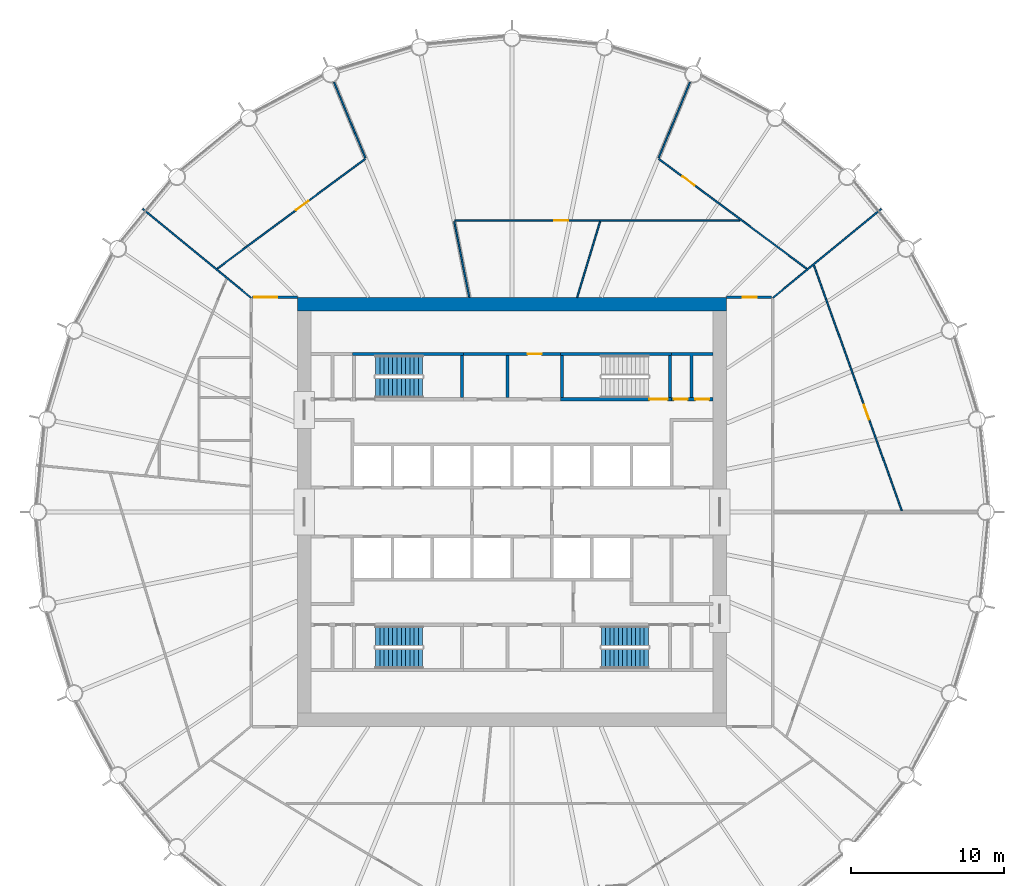
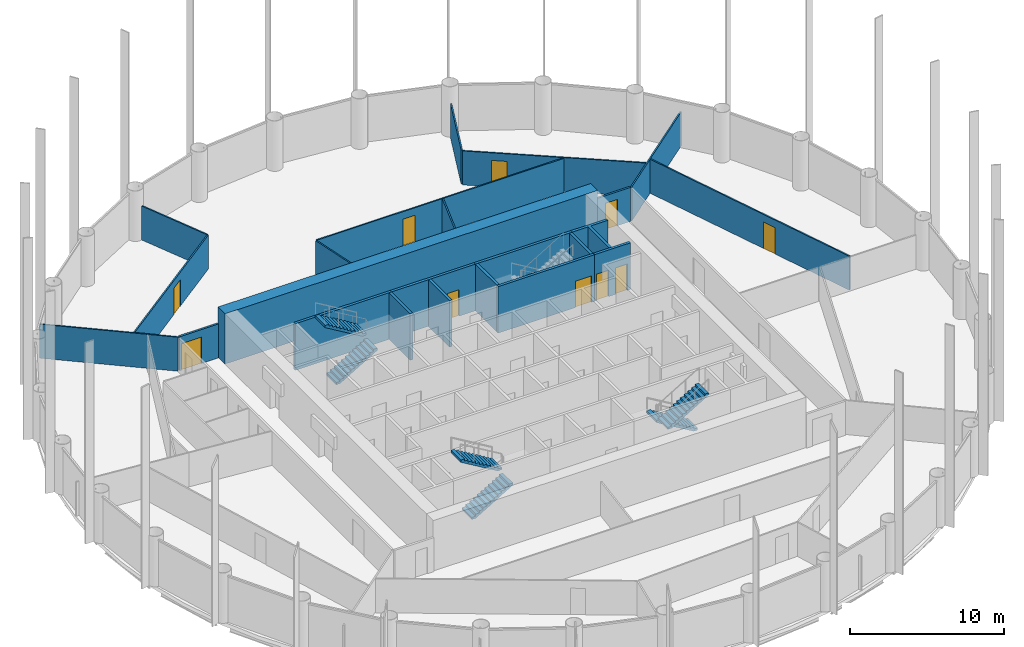
# One storey, part 7 of 9: 23 walls, 10 doors, 6 stair flights, 10 openings, 3 elements without a shape of their own.
"""IFC4 building model written with IfcOpenShell, lengths in metres."""

from ifc_helpers import new_model, si_unit, direction, frame, frame_2d, origin, place, context, subcontext, project, spatial, polyline, rectangle, outline, extrude, material, layer, layer_set, type_object, element, fill, aggregate, save


model = new_model("IFC4")

# Units and contexts
model_context = context("Model", 3, precision=1e-05, world=origin(), true_north=direction((0.0, 1.0)))
body_context = subcontext(model_context, "Body", "Model", "MODEL_VIEW")
ifc_project = project(units=[si_unit("LENGTHUNIT", "METRE"), si_unit("AREAUNIT", "SQUARE_METRE"), si_unit("VOLUMEUNIT", "CUBIC_METRE"), si_unit("PLANEANGLEUNIT", "RADIAN"), si_unit("MASSUNIT", "GRAM", prefix="KILO")], contexts=[model_context])

# Site, building, storey
site_placement = place(None, origin())
site = spatial("IfcSite", under=ifc_project, at=site_placement, CompositionType="ELEMENT")
building_placement = place(site_placement, origin())
building = spatial("IfcBuilding", under=site, at=building_placement, Name="Corvane Civic Tower", CompositionType="ELEMENT")
storey_placement = place(building_placement, frame((0.0, 0.0, 160.0)))
storey = spatial("IfcBuildingStorey", under=building, at=storey_placement, Name="L37", CompositionType="ELEMENT", Elevation=160.0)

# Wall
ifc_material_1 = material(Name="Concrete C60/75", Category="concrete")
ifc_layer_1 = layer(ifc_material_1, 0.89990234375)
ifc_layer_set_1 = layer_set([ifc_layer_1], Name="Concrete C60/75")
wall_type_1 = type_object("IfcWallType", Name="CORE WALL 900 C60/75", PredefinedType="SHEAR", material=ifc_layer_set_1)
wall_1_placement = place(storey_placement, frame((-14.0, 13.550048828125, 0.0), z_axis=(0.0, 0.0, 1.0), x_axis=(1.0, 0.0, 0.0)))
element("IfcWall", 1, at=wall_1_placement, inside=storey, type_object=wall_type_1, Name="W-L37-core-N", PredefinedType="SHEAR", context=body_context, shape_type="SweptSolid", body=[
    extrude(rectangle(XDim=28.0, YDim=0.89990234375, at=frame_2d((14.0, 0.0))), origin(), (0.0, 0.0, 1.0), 4.0),
])

# Wall, openings, doors
ifc_material_2 = material(Name="Concrete C30/37", Category="concrete")
ifc_layer_2 = layer(ifc_material_2, 0.199951171875)
ifc_layer_set_2 = layer_set([ifc_layer_2], Name="Concrete C30/37")
wall_type_2 = type_object("IfcWallType", Name="CR-WALL-200", PredefinedType="PARTITIONING", material=ifc_layer_set_2)
wall_2_placement = place(storey_placement, frame((10.39990234375, 7.35009765625, 0.0), z_axis=(0.0, 0.0, 1.0), x_axis=(1.0, 0.0, 0.0)))
wall_2 = element("IfcWall", 2, at=wall_2_placement, inside=storey, type_object=wall_type_2, Name="L37 core partition wall", PredefinedType="PARTITIONING", context=body_context, shape_type="SweptSolid", body=[
    extrude(rectangle(XDim=2.7001953125, YDim=0.199951171875, at=frame_2d((1.35009765625, 0.0))), origin(), (0.0, 0.0, 1.0), 3.699951171875),
])
opening_1_placement = place(wall_2_placement, frame((0.14990234375, 0.0, 0.0)))
opening_1 = element("IfcOpeningElement", 3, at=opening_1_placement, cuts=wall_2, Name="Opening L37.C17", PredefinedType="OPENING", context=body_context, shape_type="SweptSolid", body=[
    extrude(rectangle(XDim=0.89990234375, YDim=2.10009765625, at=frame_2d((0.449951171875, 1.050048828125))), frame((0.0, 0.10986328125, 0.0), z_axis=(0.0, -1.0, 0.0), x_axis=(1.0, 0.0, 0.0)), (0.0, 0.0, 1.0), 0.219970703125),
])
opening_2_placement = place(wall_2_placement, frame((1.550048828125, 0.0, 0.0)))
opening_2 = element("IfcOpeningElement", 4, at=opening_2_placement, cuts=wall_2, Name="Opening L37.C18", PredefinedType="OPENING", context=body_context, shape_type="SweptSolid", body=[
    extrude(rectangle(XDim=0.89990234375, YDim=2.10009765625, at=frame_2d((0.449951171875, 1.050048828125))), frame((0.0, 0.10986328125, 0.0), z_axis=(0.0, -1.0, 0.0), x_axis=(1.0, 0.0, 0.0)), (0.0, 0.0, 1.0), 0.219970703125),
])
ifc_material_3 = material(Name="Steel fire door leaf", Category="steel")
door_type_1 = type_object("IfcDoorType", Name="CR-DOOR-900", OperationType="SINGLE_SWING_LEFT", PredefinedType="DOOR", material=ifc_material_3)
door_1_placement = place(opening_1_placement, origin())
door_1 = element("IfcDoor", 5, at=door_1_placement, inside=storey, type_object=door_type_1, Name="L37 door", OperationType="SINGLE_SWING_LEFT", OverallHeight=2.10009765625, OverallWidth=0.89990234375, PredefinedType="DOOR", context=body_context, shape_type="SweptSolid", body=[
    extrude(rectangle(XDim=0.89990234375, YDim=2.10009765625, at=frame_2d((0.449951171875, 1.050048828125))), frame((0.0, 0.02490234375, 0.0), z_axis=(0.0, -1.0, 0.0), x_axis=(1.0, 0.0, 0.0)), (0.0, 0.0, 1.0), 0.050048828125),
])
fill(opening_1, door_1)
door_2_placement = place(opening_2_placement, origin())
door_2 = element("IfcDoor", 6, at=door_2_placement, inside=storey, type_object=door_type_1, Name="L37 door", OperationType="SINGLE_SWING_LEFT", OverallHeight=2.10009765625, OverallWidth=0.89990234375, PredefinedType="DOOR", context=body_context, shape_type="SweptSolid", body=[
    extrude(rectangle(XDim=0.89990234375, YDim=2.10009765625, at=frame_2d((0.449951171875, 1.050048828125))), frame((0.0, 0.02490234375, 0.0), z_axis=(0.0, -1.0, 0.0), x_axis=(1.0, 0.0, 0.0)), (0.0, 0.0, 1.0), 0.050048828125),
])
fill(opening_2, door_2)

# Wall, opening, door
wall_3_placement = place(storey_placement, frame((-3.14990234375, 10.300048828125, 0.0), z_axis=(0.0, 0.0, 1.0), x_axis=(1.0, 0.0, 0.0)))
wall_3 = element("IfcWall", 7, at=wall_3_placement, inside=storey, type_object=wall_type_2, Name="L37 partition wall", PredefinedType="PARTITIONING", context=body_context, shape_type="SweptSolid", body=[
    extrude(rectangle(XDim=6.2998046875, YDim=0.199951171875, at=frame_2d((3.14990234375, 0.0))), origin(), (0.0, 0.0, 1.0), 3.699951171875),
])
opening_3_placement = place(wall_3_placement, frame((4.175048828125, 0.0, 0.0)))
opening_3 = element("IfcOpeningElement", 8, at=opening_3_placement, cuts=wall_3, Name="Opening L37.C11", PredefinedType="OPENING", context=body_context, shape_type="SweptSolid", body=[
    extrude(rectangle(XDim=0.89990234375, YDim=2.10009765625, at=frame_2d((0.449951171875, 1.050048828125))), frame((0.0, 0.10986328125, 0.0), z_axis=(0.0, -1.0, 0.0), x_axis=(1.0, 0.0, 0.0)), (0.0, 0.0, 1.0), 0.219970703125),
])
door_3_placement = place(opening_3_placement, origin())
door_3 = element("IfcDoor", 9, at=door_3_placement, inside=storey, type_object=door_type_1, Name="L37 door", OperationType="SINGLE_SWING_LEFT", OverallHeight=2.10009765625, OverallWidth=0.89990234375, PredefinedType="DOOR", context=body_context, shape_type="SweptSolid", body=[
    extrude(rectangle(XDim=0.89990234375, YDim=2.10009765625, at=frame_2d((0.449951171875, 1.050048828125))), frame((0.0, 0.02490234375, 0.0), z_axis=(0.0, -1.0, 0.0), x_axis=(1.0, 0.0, 0.0)), (0.0, 0.0, 1.0), 0.050048828125),
])
fill(opening_3, door_3)

# Walls
wall_4_placement = place(storey_placement, origin())
element("IfcWall", 10, at=wall_4_placement, inside=storey, type_object=wall_type_2, Name="L37 core partition wall", PredefinedType="PARTITIONING", context=body_context, shape_type="SweptSolid", body=[
    extrude(outline(polyline([(-0.199951171875, 7.449951171875), (-0.39990234375, 7.449951171875), (-0.39990234375, 10.199951171875), (-0.199951171875, 10.199951171875), (-0.199951171875, 7.449951171875)])), origin(), (0.0, 0.0, 1.0), 3.699951171875),
])
wall_5_placement = place(storey_placement, origin())
element("IfcWall", 11, at=wall_5_placement, inside=storey, type_object=wall_type_2, Name="L37 core partition wall", PredefinedType="PARTITIONING", context=body_context, shape_type="SweptSolid", body=[
    extrude(outline(polyline([(13.10009765625, 10.39990234375), (13.10009765625, 10.199951171875), (11.800048828125, 10.199951171875), (11.800048828125, 7.449951171875), (11.60009765625, 7.449951171875), (11.60009765625, 10.199951171875), (10.39990234375, 10.199951171875), (10.39990234375, 10.39990234375), (13.10009765625, 10.39990234375)])), origin(), (0.0, 0.0, 1.0), 3.699951171875),
])

# Wall, opening, door
ifc_material_4 = material(Name="Plasterboard")
ifc_layer_3 = layer(ifc_material_4, 0.10009765625)
ifc_layer_set_3 = layer_set([ifc_layer_3], Name="Plasterboard")
wall_type_3 = type_object("IfcWallType", Name="Partition 100 plasterboard on studs", PredefinedType="PARTITIONING", material=ifc_layer_set_3)
wall_6_placement = place(storey_placement, frame((19.69189453125, 16.07421875, 0.0), z_axis=(0.0, 0.0, 1.0), x_axis=(0.33689125471, -0.941543563782, 0.0)))
wall_6 = element("IfcWall", 12, at=wall_6_placement, inside=storey, type_object=wall_type_3, Name="Partition L37.018", PredefinedType="PARTITIONING", context=body_context, shape_type="SweptSolid", body=[
    extrude(rectangle(XDim=17.001220703125, YDim=0.10009765625, at=frame_2d((8.50048828125, 0.0))), origin(), (0.0, 0.0, 1.0), 2.699951171875),
])
opening_4_placement = place(wall_6_placement, frame((9.663818359375, 0.0, 0.0)))
opening_4 = element("IfcOpeningElement", 13, at=opening_4_placement, cuts=wall_6, Name="Opening L37.012", PredefinedType="OPENING", context=body_context, shape_type="SweptSolid", body=[
    extrude(rectangle(XDim=1.0, YDim=2.10009765625, at=frame_2d((0.5, 1.050048828125))), frame((0.0, 0.06005859375, 0.0), z_axis=(0.0, -1.0, 0.0), x_axis=(1.0, 0.0, 0.0)), (0.0, 0.0, 1.0), 0.1201171875),
])
ifc_material_5 = material(Name="Timber", Category="wood")
door_type_2 = type_object("IfcDoorType", Name="Single door 1000", OperationType="NOTDEFINED", PredefinedType="DOOR", material=ifc_material_5)
door_4_placement = place(opening_4_placement, origin())
door_4 = element("IfcDoor", 14, at=door_4_placement, inside=storey, type_object=door_type_2, Name="Door L37.012", OperationType="SINGLE_SWING_LEFT", OverallHeight=2.10009765625, OverallWidth=1.0, PredefinedType="DOOR", context=body_context, shape_type="SweptSolid", body=[
    extrude(rectangle(XDim=1.0, YDim=2.10009765625, at=frame_2d((0.5, 1.050048828125))), frame((0.0, 0.02490234375, 0.0), z_axis=(0.0, -1.0, 0.0), x_axis=(1.0, 0.0, 0.0)), (0.0, 0.0, 1.0), 0.050048828125),
])
fill(opening_4, door_4)

# Walls
for number, where, z_axis, x_axis, name in (
    (15, (-24.079345703125, 19.761474609375, 0.0), (0.0, 0.0, 1.0), (0.773006154143, -0.634398522742, 0.0), "Partition L37.026"),
    (16, (17.018310546875, 13.966552734375, 0.0), (0.0, 0.0, 1.0), (0.773006154143, 0.634398522742, 0.0), "Partition L37.027"),
):
    element("IfcWall", number, at=place(storey_placement, frame(where, z_axis=z_axis, x_axis=x_axis)), inside=storey, type_object=wall_type_3, Name=name, PredefinedType="PARTITIONING", context=body_context, shape_type="SweptSolid", body=[
        extrude(rectangle(XDim=9.134521484375, YDim=0.10009765625, at=frame_2d((4.5673828125, 0.0))), origin(), (0.0, 0.0, 1.0), 2.699951171875),
    ])
wall_7_placement = place(storey_placement, frame((-3.767333984375, 18.940185546875, 0.0), z_axis=(0.0, 0.0, 1.0), x_axis=(0.195044080864, -0.980794477207, 0.0)))
element("IfcWall", 17, at=wall_7_placement, inside=storey, type_object=wall_type_3, Name="Partition L37.029", PredefinedType="PARTITIONING", context=body_context, shape_type="SweptSolid", body=[
    extrude(rectangle(XDim=5.036865234375, YDim=0.10009765625, at=frame_2d((2.5185546875, 0.0))), origin(), (0.0, 0.0, 1.0), 2.699951171875),
])
wall_8_placement = place(storey_placement, frame((4.246826171875, 14.0, 0.0), z_axis=(0.0, 0.0, 1.0), x_axis=(0.29026488673, 0.956946338899, 0.0)))
element("IfcWall", 18, at=wall_8_placement, inside=storey, type_object=wall_type_3, Name="Partition L37.030", PredefinedType="PARTITIONING", context=body_context, shape_type="SweptSolid", body=[
    extrude(rectangle(XDim=5.15771484375, YDim=0.10009765625, at=frame_2d((2.578857421875, 0.0))), origin(), (0.0, 0.0, 1.0), 2.699951171875),
])

# Wall, opening, door
wall_9_placement = place(storey_placement, frame((-19.2294921875, 15.861572265625, 0.0), z_axis=(0.0, 0.0, 1.0), x_axis=(0.80320870708, 0.595697719376, 0.0)))
wall_9 = element("IfcWall", 19, at=wall_9_placement, inside=storey, type_object=wall_type_3, Name="Partition L37.032", PredefinedType="PARTITIONING", context=body_context, shape_type="SweptSolid", body=[
    extrude(rectangle(XDim=12.01806640625, YDim=0.10009765625, at=frame_2d((6.009033203125, 0.0))), origin(), (0.0, 0.0, 1.0), 2.699951171875),
])
opening_5_placement = place(wall_9_placement, frame((6.42236328125, 0.0, 0.0)))
opening_5 = element("IfcOpeningElement", 20, at=opening_5_placement, cuts=wall_9, Name="Opening L37.001", PredefinedType="OPENING", context=body_context, shape_type="SweptSolid", body=[
    extrude(rectangle(XDim=1.0, YDim=2.10009765625, at=frame_2d((0.5, 1.050048828125))), frame((0.0, 0.06005859375, 0.0), z_axis=(0.0, -1.0, 0.0), x_axis=(1.0, 0.0, 0.0)), (0.0, 0.0, 1.0), 0.1201171875),
])
door_5_placement = place(opening_5_placement, origin())
door_5 = element("IfcDoor", 21, at=door_5_placement, inside=storey, type_object=door_type_2, Name="Door L37.001", OperationType="SINGLE_SWING_RIGHT", OverallHeight=2.10009765625, OverallWidth=1.0, PredefinedType="DOOR", context=body_context, shape_type="SweptSolid", body=[
    extrude(rectangle(XDim=1.0, YDim=2.10009765625, at=frame_2d((0.5, 1.050048828125))), frame((0.0, 0.02490234375, 0.0), z_axis=(0.0, -1.0, 0.0), x_axis=(1.0, 0.0, 0.0)), (0.0, 0.0, 1.0), 0.050048828125),
])
fill(opening_5, door_5)

wall_10_placement = place(storey_placement, frame((9.576416015625, 23.020751953125, 0.0), z_axis=(0.0, 0.0, 1.0), x_axis=(0.80320870708, -0.595697719376, 0.0)))
wall_10 = element("IfcWall", 22, at=wall_10_placement, inside=storey, type_object=wall_type_3, Name="Partition L37.033", PredefinedType="PARTITIONING", context=body_context, shape_type="SweptSolid", body=[
    extrude(rectangle(XDim=12.01806640625, YDim=0.10009765625, at=frame_2d((6.009033203125, 0.0))), origin(), (0.0, 0.0, 1.0), 2.699951171875),
])
opening_6_placement = place(wall_10_placement, frame((1.90576171875, 0.0, 0.0)))
opening_6 = element("IfcOpeningElement", 23, at=opening_6_placement, cuts=wall_10, Name="Opening L37.002", PredefinedType="OPENING", context=body_context, shape_type="SweptSolid", body=[
    extrude(rectangle(XDim=1.0, YDim=2.10009765625, at=frame_2d((0.5, 1.050048828125))), frame((0.0, 0.06005859375, 0.0), z_axis=(0.0, -1.0, 0.0), x_axis=(1.0, 0.0, 0.0)), (0.0, 0.0, 1.0), 0.1201171875),
])
door_6_placement = place(opening_6_placement, origin())
door_6 = element("IfcDoor", 24, at=door_6_placement, inside=storey, type_object=door_type_2, Name="Door L37.002", OperationType="SINGLE_SWING_LEFT", OverallHeight=2.10009765625, OverallWidth=1.0, PredefinedType="DOOR", context=body_context, shape_type="SweptSolid", body=[
    extrude(rectangle(XDim=1.0, YDim=2.10009765625, at=frame_2d((0.5, 1.050048828125))), frame((0.0, 0.02490234375, 0.0), z_axis=(0.0, -1.0, 0.0), x_axis=(1.0, 0.0, 0.0)), (0.0, 0.0, 1.0), 0.050048828125),
])
fill(opening_6, door_6)

wall_11_placement = place(storey_placement, frame((-3.718505859375, 19.0, 0.0), z_axis=(0.0, 0.0, 1.0), x_axis=(1.0, 0.0, 0.0)))
wall_11 = element("IfcWall", 25, at=wall_11_placement, inside=storey, type_object=wall_type_3, Name="Partition L37.034", PredefinedType="PARTITIONING", context=body_context, shape_type="SweptSolid", body=[
    extrude(rectangle(XDim=18.565185546875, YDim=0.10009765625, at=frame_2d((9.28271484375, 0.0))), origin(), (0.0, 0.0, 1.0), 2.699951171875),
])
opening_7_placement = place(wall_11_placement, frame((6.47998046875, 0.0, 0.0)))
opening_7 = element("IfcOpeningElement", 26, at=opening_7_placement, cuts=wall_11, Name="Opening L37.004", PredefinedType="OPENING", context=body_context, shape_type="SweptSolid", body=[
    extrude(rectangle(XDim=0.89990234375, YDim=2.10009765625, at=frame_2d((0.449951171875, 1.050048828125))), frame((0.0, 0.06005859375, 0.0), z_axis=(0.0, -1.0, 0.0), x_axis=(1.0, 0.0, 0.0)), (0.0, 0.0, 1.0), 0.1201171875),
])
ifc_material_6 = material(Name="Timber", Category="wood")
door_type_3 = type_object("IfcDoorType", Name="Single door 900", OperationType="NOTDEFINED", PredefinedType="DOOR", material=ifc_material_6)
door_7_placement = place(opening_7_placement, frame((0.89990234375, 0.0, 0.0), z_axis=(0.0, 0.0, 1.0), x_axis=(-1.0, 0.0, 0.0)))
door_7 = element("IfcDoor", 27, at=door_7_placement, inside=storey, type_object=door_type_3, Name="Door L37.004", OperationType="SINGLE_SWING_RIGHT", OverallHeight=2.10009765625, OverallWidth=0.89990234375, PredefinedType="DOOR", context=body_context, shape_type="SweptSolid", body=[
    extrude(rectangle(XDim=0.89990234375, YDim=2.10009765625, at=frame_2d((0.449951171875, 1.050048828125))), frame((0.0, 0.02490234375, 0.0), z_axis=(0.0, -1.0, 0.0), x_axis=(1.0, 0.0, 0.0)), (0.0, 0.0, 1.0), 0.050048828125),
])
fill(opening_7, door_7)

# Walls
for number, where, z_axis, x_axis, name in (
    (28, (-11.610595703125, 28.030517578125, 0.0), (0.0, 0.0, 1.0), (0.382683105521, -0.923879667895, 0.0), "Partition L37.035"),
    (29, (9.56005859375, 23.080078125, 0.0), (0.0, 0.0, 1.0), (0.382683105521, 0.923879667895, 0.0), "Partition L37.036"),
):
    element("IfcWall", number, at=place(storey_placement, frame(where, z_axis=z_axis, x_axis=x_axis)), inside=storey, type_object=wall_type_3, Name=name, PredefinedType="PARTITIONING", context=body_context, shape_type="SweptSolid", body=[
        extrude(rectangle(XDim=5.3583984375, YDim=0.10009765625, at=frame_2d((2.67919921875, 0.0))), origin(), (0.0, 0.0, 1.0), 2.699951171875),
    ])

# Wall, opening, door
ifc_material_7 = material(Name="Concrete C50/60", Category="concrete")
ifc_layer_4 = layer(ifc_material_7, 0.199951171875)
ifc_layer_set_4 = layer_set([ifc_layer_4], Name="Concrete C50/60")
wall_type_4 = type_object("IfcWallType", Name="ST-WALL-200", PredefinedType="SHEAR", material=ifc_layer_set_4)
wall_12_placement = place(storey_placement, frame((3.14990234375, 7.35009765625, 0.0), z_axis=(0.0, 0.0, 1.0), x_axis=(1.0, 0.0, 0.0)))
wall_12 = element("IfcWall", 30, at=wall_12_placement, inside=storey, type_object=wall_type_4, Name="L37 stair enclosure wall", PredefinedType="SHEAR", context=body_context, shape_type="SweptSolid", body=[
    extrude(rectangle(XDim=7.25, YDim=0.199951171875, at=frame_2d((3.625, 0.0))), origin(), (0.0, 0.0, 1.0), 3.699951171875),
])
opening_8_placement = place(wall_12_placement, frame((5.800048828125, 0.0, 0.0)))
opening_8 = element("IfcOpeningElement", 31, at=opening_8_placement, cuts=wall_12, Name="Opening L37.C21", PredefinedType="OPENING", context=body_context, shape_type="SweptSolid", body=[
    extrude(rectangle(XDim=1.199951171875, YDim=2.10009765625, at=frame_2d((0.60009765625, 1.050048828125))), frame((0.0, 0.10986328125, 0.0), z_axis=(0.0, -1.0, 0.0), x_axis=(1.0, 0.0, 0.0)), (0.0, 0.0, 1.0), 0.219970703125),
])
ifc_material_8 = material(Name="Steel fire door leaf", Category="steel")
door_type_4 = type_object("IfcDoorType", Name="ST-DOOR-1200", OperationType="SINGLE_SWING_RIGHT", PredefinedType="DOOR", material=ifc_material_8)
door_8_placement = place(opening_8_placement, origin())
door_8 = element("IfcDoor", 32, at=door_8_placement, inside=storey, type_object=door_type_4, Name="L37 stair door", OperationType="SINGLE_SWING_RIGHT", OverallHeight=2.10009765625, OverallWidth=1.199951171875, PredefinedType="DOOR", context=body_context, shape_type="SweptSolid", body=[
    extrude(rectangle(XDim=1.199951171875, YDim=2.10009765625, at=frame_2d((0.60009765625, 1.050048828125))), frame((0.0, 0.02490234375, 0.0), z_axis=(0.0, -1.0, 0.0), x_axis=(1.0, 0.0, 0.0)), (0.0, 0.0, 1.0), 0.050048828125),
])
fill(opening_8, door_8)

# Walls
wall_13_placement = place(storey_placement, origin())
element("IfcWall", 33, at=wall_13_placement, inside=storey, type_object=wall_type_4, Name="L37 stair enclosure wall", PredefinedType="SHEAR", context=body_context, shape_type="SweptSolid", body=[
    extrude(outline(polyline([(-3.14990234375, 10.199951171875), (-10.39990234375, 10.199951171875), (-10.39990234375, 10.39990234375), (-3.14990234375, 10.39990234375), (-3.14990234375, 10.199951171875)])), origin(), (0.0, 0.0, 1.0), 3.699951171875),
])
wall_14_placement = place(storey_placement, origin())
element("IfcWall", 34, at=wall_14_placement, inside=storey, type_object=wall_type_4, Name="L37 stair enclosure wall", PredefinedType="SHEAR", context=body_context, shape_type="SweptSolid", body=[
    extrude(outline(polyline([(10.39990234375, 10.199951171875), (3.14990234375, 10.199951171875), (3.14990234375, 10.39990234375), (10.39990234375, 10.39990234375), (10.39990234375, 10.199951171875)])), origin(), (0.0, 0.0, 1.0), 3.699951171875),
])
wall_15_placement = place(storey_placement, origin())
element("IfcWall", 35, at=wall_15_placement, inside=storey, type_object=wall_type_4, Name="L37 stair enclosure wall", PredefinedType="SHEAR", context=body_context, shape_type="SweptSolid", body=[
    extrude(outline(polyline([(-3.14990234375, 7.449951171875), (-3.35009765625, 7.449951171875), (-3.35009765625, 10.199951171875), (-3.14990234375, 10.199951171875), (-3.14990234375, 7.449951171875)])), origin(), (0.0, 0.0, 1.0), 3.699951171875),
])
wall_16_placement = place(storey_placement, origin())
element("IfcWall", 36, at=wall_16_placement, inside=storey, type_object=wall_type_4, Name="L37 stair enclosure wall", PredefinedType="SHEAR", context=body_context, shape_type="SweptSolid", body=[
    extrude(outline(polyline([(3.35009765625, 7.449951171875), (3.14990234375, 7.449951171875), (3.14990234375, 10.199951171875), (3.35009765625, 10.199951171875), (3.35009765625, 7.449951171875)])), origin(), (0.0, 0.0, 1.0), 3.699951171875),
])
wall_17_placement = place(storey_placement, origin())
element("IfcWall", 37, at=wall_17_placement, inside=storey, type_object=wall_type_4, Name="L37 stair enclosure wall", PredefinedType="SHEAR", context=body_context, shape_type="SweptSolid", body=[
    extrude(outline(polyline([(10.39990234375, 7.449951171875), (10.199951171875, 7.449951171875), (10.199951171875, 10.199951171875), (10.39990234375, 10.199951171875), (10.39990234375, 7.449951171875)])), origin(), (0.0, 0.0, 1.0), 3.699951171875),
])

# Wall, opening, door
ifc_material_9 = material(Name="Plasterboard")
ifc_layer_5 = layer(ifc_material_9, 0.14990234375)
ifc_layer_set_5 = layer_set([ifc_layer_5], Name="Plasterboard")
wall_type_5 = type_object("IfcWallType", Name="Tenancy wall 150 EI 60", PredefinedType="PARTITIONING", material=ifc_layer_set_5)
wall_18_placement = place(storey_placement, frame((-16.925048828125, 14.0, 0.0), z_axis=(0.0, 0.0, 1.0), x_axis=(1.0, 0.0, 0.0)))
wall_18 = element("IfcWall", 38, at=wall_18_placement, inside=storey, type_object=wall_type_5, Name="Partition L37.028", PredefinedType="PARTITIONING", context=body_context, shape_type="SweptSolid", body=[
    extrude(rectangle(XDim=2.93505859375, YDim=0.14990234375, at=frame_2d((1.467529296875, 0.0))), origin(), (0.0, 0.0, 1.0), 2.699951171875),
])
opening_9_placement = place(wall_18_placement, frame((0.130126953125, 0.0, 0.0)))
opening_9 = element("IfcOpeningElement", 39, at=opening_9_placement, cuts=wall_18, Name="Opening L37.003", PredefinedType="OPENING", context=body_context, shape_type="SweptSolid", body=[
    extrude(rectangle(XDim=1.5, YDim=2.10009765625, at=frame_2d((0.75, 1.050048828125))), frame((0.0, 0.0849609375, 0.0), z_axis=(0.0, -1.0, 0.0), x_axis=(1.0, 0.0, 0.0)), (0.0, 0.0, 1.0), 0.169921875),
])
ifc_material_10 = material(Name="Steel and timber", Category="steel")
door_type_5 = type_object("IfcDoorType", Name="Fire door FD60 double 1500", OperationType="NOTDEFINED", PredefinedType="DOOR", material=ifc_material_10)
door_9_placement = place(opening_9_placement, origin())
door_9 = element("IfcDoor", 40, at=door_9_placement, inside=storey, type_object=door_type_5, Name="Door L37.003", OperationType="DOUBLE_DOOR_SINGLE_SWING", OverallHeight=2.10009765625, OverallWidth=1.5, PredefinedType="DOOR", context=body_context, shape_type="SweptSolid", body=[
    extrude(rectangle(XDim=1.5, YDim=2.10009765625, at=frame_2d((0.75, 1.050048828125))), frame((0.0, 0.02490234375, 0.0), z_axis=(0.0, -1.0, 0.0), x_axis=(1.0, 0.0, 0.0)), (0.0, 0.0, 1.0), 0.050048828125),
])
fill(opening_9, door_9)

wall_19_placement = place(storey_placement, frame((13.989990234375, 14.0, 0.0), z_axis=(0.0, 0.0, 1.0), x_axis=(1.0, 0.0, 0.0)))
wall_19 = element("IfcWall", 41, at=wall_19_placement, inside=storey, type_object=wall_type_5, Name="Partition L37.031", PredefinedType="PARTITIONING", context=body_context, shape_type="SweptSolid", body=[
    extrude(rectangle(XDim=2.93505859375, YDim=0.14990234375, at=frame_2d((1.467529296875, 0.0))), origin(), (0.0, 0.0, 1.0), 2.699951171875),
])
opening_10_placement = place(wall_19_placement, frame((1.06591796875, 0.0, 0.0)))
opening_10 = element("IfcOpeningElement", 42, at=opening_10_placement, cuts=wall_19, Name="Opening L37.005", PredefinedType="OPENING", context=body_context, shape_type="SweptSolid", body=[
    extrude(rectangle(XDim=0.89990234375, YDim=2.10009765625, at=frame_2d((0.449951171875, 1.050048828125))), frame((0.0, 0.0849609375, 0.0), z_axis=(0.0, -1.0, 0.0), x_axis=(1.0, 0.0, 0.0)), (0.0, 0.0, 1.0), 0.169921875),
])
ifc_material_11 = material(Name="Steel and timber", Category="steel")
door_type_6 = type_object("IfcDoorType", Name="Fire door FD30S 900", OperationType="NOTDEFINED", PredefinedType="DOOR", material=ifc_material_11)
door_10_placement = place(opening_10_placement, origin())
door_10 = element("IfcDoor", 43, at=door_10_placement, inside=storey, type_object=door_type_6, Name="Door L37.005", OperationType="SINGLE_SWING_LEFT", OverallHeight=2.10009765625, OverallWidth=0.89990234375, PredefinedType="DOOR", context=body_context, shape_type="SweptSolid", body=[
    extrude(rectangle(XDim=0.89990234375, YDim=2.10009765625, at=frame_2d((0.449951171875, 1.050048828125))), frame((0.0, 0.02490234375, 0.0), z_axis=(0.0, -1.0, 0.0), x_axis=(1.0, 0.0, 0.0)), (0.0, 0.0, 1.0), 0.050048828125),
])
fill(opening_10, door_10)

# Stair, stair flights
ifc_material_12 = material(Name="Concrete C40/50", Category="concrete")
stair_type = type_object("IfcStairType", Name="ST-STAIR-HALFTURN", PredefinedType="HALF_TURN_STAIR", material=ifc_material_12)
stair_1_placement = place(storey_placement, origin())
stair_1 = element("IfcStair", 44, at=stair_1_placement, inside=storey, type_object=stair_type, Name="L37 Exit stair ST2", PredefinedType="HALF_TURN_STAIR")
ifc_material_13 = material(Name="Concrete C40/50", Category="concrete")
stair_flight_type = type_object("IfcStairFlightType", Name="ST-FLIGHT-RC", PredefinedType="STRAIGHT", material=ifc_material_13)
stair_flight_1_placement = place(storey_placement, frame((8.89990234375, -8.10009765625, 0.0), z_axis=(0.0, 0.0, 1.0), x_axis=(-1.0, 0.0, 0.0)))
stair_flight_1 = element("IfcStairFlight", 45, at=stair_flight_1_placement, type_object=stair_flight_type, Name="ST2 flight 1", NumberOfRisers=12, NumberOfTreads=11, PredefinedType="STRAIGHT", RiserHeight=0.166666667, TreadLength=0.28, context=body_context, shape_type="SweptSolid", body=[
    extrude(outline(polyline([(0.0, 0.0), (0.0, 0.166748046875), (0.280029296875, 0.166748046875), (0.280029296875, 0.333251953125), (0.56005859375, 0.333251953125), (0.56005859375, 0.5), (0.840087890625, 0.5), (0.840087890625, 0.666748046875), (1.1201171875, 0.666748046875), (1.1201171875, 0.833251953125), (1.39990234375, 0.833251953125), (1.39990234375, 1.0), (1.679931640625, 1.0), (1.679931640625, 1.166748046875), (1.9599609375, 1.166748046875), (1.9599609375, 1.333251953125), (2.239990234375, 1.333251953125), (2.239990234375, 1.5), (2.52001953125, 1.5), (2.52001953125, 1.666748046875), (2.800048828125, 1.666748046875), (2.800048828125, 1.833251953125), (3.080078125, 1.833251953125), (3.080078125, 2.0), (3.080078125, 1.658935546875), (0.29296875, 0.0), (0.0, 0.0)])), frame((0.0, 0.64990234375, 0.0), z_axis=(0.0, -1.0, 0.0), x_axis=(1.0, 0.0, 0.0)), (0.0, 0.0, 1.0), 1.300048828125),
])
stair_flight_2_placement = place(storey_placement, frame((5.820068359375, -9.550048828125, 2.0), z_axis=(0.0, 0.0, 1.0), x_axis=(1.0, 0.0, 0.0)))
stair_flight_2 = element("IfcStairFlight", 46, at=stair_flight_2_placement, type_object=stair_flight_type, Name="ST2 flight 2", NumberOfRisers=12, NumberOfTreads=11, PredefinedType="STRAIGHT", RiserHeight=0.166666667, TreadLength=0.28, context=body_context, shape_type="SweptSolid", body=[
    extrude(outline(polyline([(0.0, 0.0), (0.0, 0.166748046875), (0.280029296875, 0.166748046875), (0.280029296875, 0.333251953125), (0.56005859375, 0.333251953125), (0.56005859375, 0.5), (0.840087890625, 0.5), (0.840087890625, 0.666748046875), (1.1201171875, 0.666748046875), (1.1201171875, 0.833251953125), (1.39990234375, 0.833251953125), (1.39990234375, 1.0), (1.679931640625, 1.0), (1.679931640625, 1.166748046875), (1.9599609375, 1.166748046875), (1.9599609375, 1.333251953125), (2.239990234375, 1.333251953125), (2.239990234375, 1.5), (2.52001953125, 1.5), (2.52001953125, 1.666748046875), (2.800048828125, 1.666748046875), (2.800048828125, 1.833251953125), (3.080078125, 1.833251953125), (3.080078125, 2.0), (3.080078125, 1.658935546875), (0.29296875, 0.0), (0.0, 0.0)])), frame((0.0, 0.64990234375, 0.0), z_axis=(0.0, -1.0, 0.0), x_axis=(1.0, 0.0, 0.0)), (0.0, 0.0, 1.0), 1.300048828125),
])
aggregate(stair_1, [stair_flight_1, stair_flight_2])

stair_2_placement = place(storey_placement, origin())
stair_2 = element("IfcStair", 47, at=stair_2_placement, inside=storey, type_object=stair_type, Name="L37 Exit stair ST3", PredefinedType="HALF_TURN_STAIR")
stair_flight_3_placement = place(storey_placement, frame((-8.89990234375, -9.550048828125, 0.0), z_axis=(0.0, 0.0, 1.0), x_axis=(1.0, 0.0, 0.0)))
stair_flight_3 = element("IfcStairFlight", 48, at=stair_flight_3_placement, type_object=stair_flight_type, Name="ST3 flight 1", NumberOfRisers=12, NumberOfTreads=11, PredefinedType="STRAIGHT", RiserHeight=0.166666667, TreadLength=0.28, context=body_context, shape_type="SweptSolid", body=[
    extrude(outline(polyline([(0.0, 0.0), (0.0, 0.166748046875), (0.280029296875, 0.166748046875), (0.280029296875, 0.333251953125), (0.56005859375, 0.333251953125), (0.56005859375, 0.5), (0.840087890625, 0.5), (0.840087890625, 0.666748046875), (1.1201171875, 0.666748046875), (1.1201171875, 0.833251953125), (1.39990234375, 0.833251953125), (1.39990234375, 1.0), (1.679931640625, 1.0), (1.679931640625, 1.166748046875), (1.9599609375, 1.166748046875), (1.9599609375, 1.333251953125), (2.239990234375, 1.333251953125), (2.239990234375, 1.5), (2.52001953125, 1.5), (2.52001953125, 1.666748046875), (2.800048828125, 1.666748046875), (2.800048828125, 1.833251953125), (3.080078125, 1.833251953125), (3.080078125, 2.0), (3.080078125, 1.658935546875), (0.29296875, 0.0), (0.0, 0.0)])), frame((0.0, 0.64990234375, 0.0), z_axis=(0.0, -1.0, 0.0), x_axis=(1.0, 0.0, 0.0)), (0.0, 0.0, 1.0), 1.300048828125),
])
stair_flight_4_placement = place(storey_placement, frame((-5.820068359375, -8.10009765625, 2.0), z_axis=(0.0, 0.0, 1.0), x_axis=(-1.0, 0.0, 0.0)))
stair_flight_4 = element("IfcStairFlight", 49, at=stair_flight_4_placement, type_object=stair_flight_type, Name="ST3 flight 2", NumberOfRisers=12, NumberOfTreads=11, PredefinedType="STRAIGHT", RiserHeight=0.166666667, TreadLength=0.28, context=body_context, shape_type="SweptSolid", body=[
    extrude(outline(polyline([(0.0, 0.0), (0.0, 0.166748046875), (0.280029296875, 0.166748046875), (0.280029296875, 0.333251953125), (0.56005859375, 0.333251953125), (0.56005859375, 0.5), (0.840087890625, 0.5), (0.840087890625, 0.666748046875), (1.1201171875, 0.666748046875), (1.1201171875, 0.833251953125), (1.39990234375, 0.833251953125), (1.39990234375, 1.0), (1.679931640625, 1.0), (1.679931640625, 1.166748046875), (1.9599609375, 1.166748046875), (1.9599609375, 1.333251953125), (2.239990234375, 1.333251953125), (2.239990234375, 1.5), (2.52001953125, 1.5), (2.52001953125, 1.666748046875), (2.800048828125, 1.666748046875), (2.800048828125, 1.833251953125), (3.080078125, 1.833251953125), (3.080078125, 2.0), (3.080078125, 1.658935546875), (0.29296875, 0.0), (0.0, 0.0)])), frame((0.0, 0.64990234375, 0.0), z_axis=(0.0, -1.0, 0.0), x_axis=(1.0, 0.0, 0.0)), (0.0, 0.0, 1.0), 1.300048828125),
])
aggregate(stair_2, [stair_flight_3, stair_flight_4])

stair_3_placement = place(storey_placement, origin())
stair_3 = element("IfcStair", 50, at=stair_3_placement, inside=storey, type_object=stair_type, Name="L37 Exit stair ST4", PredefinedType="HALF_TURN_STAIR")
stair_flight_5_placement = place(storey_placement, frame((-8.89990234375, 8.10009765625, 0.0), z_axis=(0.0, 0.0, 1.0), x_axis=(1.0, 0.0, 0.0)))
stair_flight_5 = element("IfcStairFlight", 51, at=stair_flight_5_placement, type_object=stair_flight_type, Name="ST4 flight 1", NumberOfRisers=12, NumberOfTreads=11, PredefinedType="STRAIGHT", RiserHeight=0.166666667, TreadLength=0.28, context=body_context, shape_type="SweptSolid", body=[
    extrude(outline(polyline([(0.0, 0.0), (0.0, 0.166748046875), (0.280029296875, 0.166748046875), (0.280029296875, 0.333251953125), (0.56005859375, 0.333251953125), (0.56005859375, 0.5), (0.840087890625, 0.5), (0.840087890625, 0.666748046875), (1.1201171875, 0.666748046875), (1.1201171875, 0.833251953125), (1.39990234375, 0.833251953125), (1.39990234375, 1.0), (1.679931640625, 1.0), (1.679931640625, 1.166748046875), (1.9599609375, 1.166748046875), (1.9599609375, 1.333251953125), (2.239990234375, 1.333251953125), (2.239990234375, 1.5), (2.52001953125, 1.5), (2.52001953125, 1.666748046875), (2.800048828125, 1.666748046875), (2.800048828125, 1.833251953125), (3.080078125, 1.833251953125), (3.080078125, 2.0), (3.080078125, 1.658935546875), (0.29296875, 0.0), (0.0, 0.0)])), frame((0.0, 0.64990234375, 0.0), z_axis=(0.0, -1.0, 0.0), x_axis=(1.0, 0.0, 0.0)), (0.0, 0.0, 1.0), 1.300048828125),
])
stair_flight_6_placement = place(storey_placement, frame((-5.820068359375, 9.550048828125, 2.0), z_axis=(0.0, 0.0, 1.0), x_axis=(-1.0, 0.0, 0.0)))
stair_flight_6 = element("IfcStairFlight", 52, at=stair_flight_6_placement, type_object=stair_flight_type, Name="ST4 flight 2", NumberOfRisers=12, NumberOfTreads=11, PredefinedType="STRAIGHT", RiserHeight=0.166666667, TreadLength=0.28, context=body_context, shape_type="SweptSolid", body=[
    extrude(outline(polyline([(0.0, 0.0), (0.0, 0.166748046875), (0.280029296875, 0.166748046875), (0.280029296875, 0.333251953125), (0.56005859375, 0.333251953125), (0.56005859375, 0.5), (0.840087890625, 0.5), (0.840087890625, 0.666748046875), (1.1201171875, 0.666748046875), (1.1201171875, 0.833251953125), (1.39990234375, 0.833251953125), (1.39990234375, 1.0), (1.679931640625, 1.0), (1.679931640625, 1.166748046875), (1.9599609375, 1.166748046875), (1.9599609375, 1.333251953125), (2.239990234375, 1.333251953125), (2.239990234375, 1.5), (2.52001953125, 1.5), (2.52001953125, 1.666748046875), (2.800048828125, 1.666748046875), (2.800048828125, 1.833251953125), (3.080078125, 1.833251953125), (3.080078125, 2.0), (3.080078125, 1.658935546875), (0.29296875, 0.0), (0.0, 0.0)])), frame((0.0, 0.64990234375, 0.0), z_axis=(0.0, -1.0, 0.0), x_axis=(1.0, 0.0, 0.0)), (0.0, 0.0, 1.0), 1.300048828125),
])
aggregate(stair_3, [stair_flight_5, stair_flight_6])

save(model, "model.ifc")
